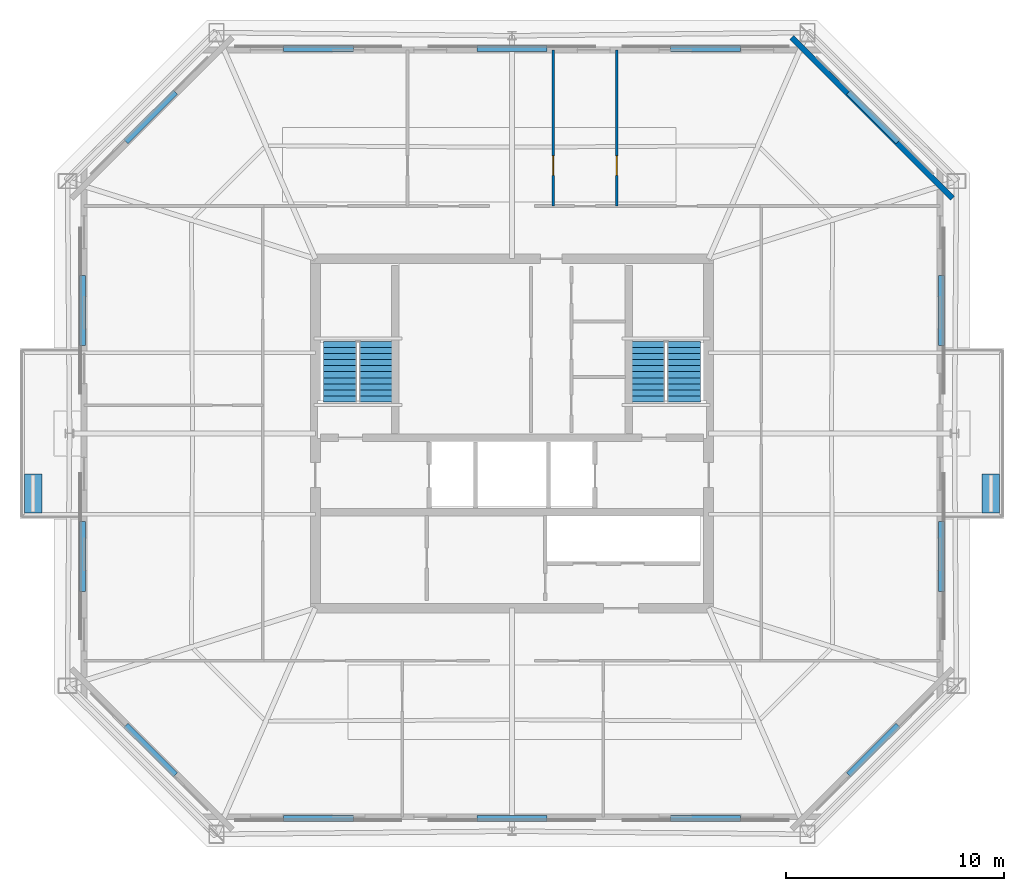
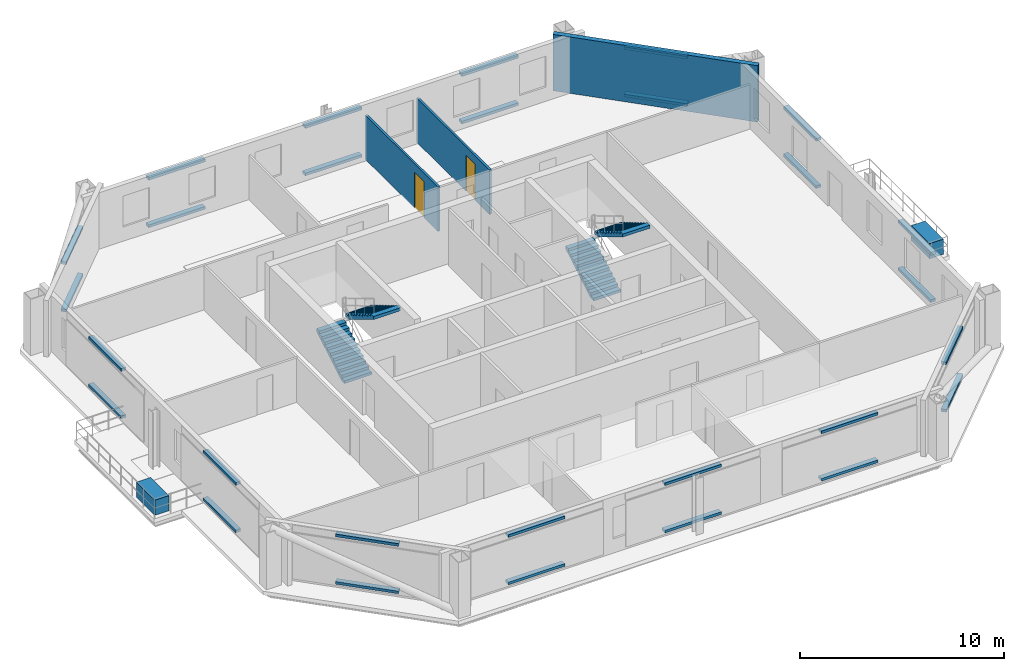
# One storey, part 5 of 7: 30 discrete accessories, 4 stair flights, 3 walls, 2 doors, 2 openings, 2 elements without a shape of their own.
"""IFC4 building model written with IfcOpenShell, lengths in metres."""

from ifc_helpers import new_model, si_unit, direction, frame, frame_2d, origin, origin_2d, place, context, subcontext, project, spatial, polyline, rectangle, outline, extrude, material, layer, layer_set, type_object, element, fill, aggregate, save


model = new_model("IFC4")

# Units and contexts
model_context = context("Model", 3, precision=1e-05, world=origin(), true_north=direction((0.0, 1.0)))
body_context = subcontext(model_context, "Body", "Model", "MODEL_VIEW")
ifc_project = project(units=[si_unit("LENGTHUNIT", "METRE"), si_unit("AREAUNIT", "SQUARE_METRE"), si_unit("VOLUMEUNIT", "CUBIC_METRE"), si_unit("PLANEANGLEUNIT", "RADIAN"), si_unit("MASSUNIT", "GRAM", prefix="KILO")], contexts=[model_context])

# Site, building, storey
site_placement = place(None, origin())
site = spatial("IfcSite", under=ifc_project, at=site_placement, CompositionType="ELEMENT")
building_placement = place(site_placement, origin())
building = spatial("IfcBuilding", under=site, at=building_placement, Name="Caelvoria Tower", CompositionType="ELEMENT")
storey_placement = place(building_placement, frame((0.0, 0.0, 223.800048828125)))
storey = spatial("IfcBuildingStorey", under=building, at=storey_placement, Name="L59", CompositionType="ELEMENT", Elevation=223.800048828125)

# Wall, opening, door
ifc_material_1 = material(Name="Acoustic Gypsum Board on Light-Gauge Stud", Category="gypsum")
ifc_layer_1 = layer(ifc_material_1, 0.1201171875, Name="Acoustic Gypsum Board on Light-Gauge Stud")
ifc_layer_set_1 = layer_set([ifc_layer_1], Name="Tenant Suite Acoustic Partition Wall 120 - Acoustic Gypsum Board on Light-Gauge Stud")
wall_type_1 = type_object("IfcWallType", Name="Tenant Suite Acoustic Partition Wall 120", PredefinedType="PARTITIONING", material=ifc_layer_set_1)
wall_1_placement = place(storey_placement, frame((47.884521484375, 42.409912109375, 0.0), z_axis=(0.0, 0.0, 1.0), x_axis=(0.0, 1.0, 0.0)))
wall_1 = element("IfcWall", 1, at=wall_1_placement, inside=storey, type_object=wall_type_1, Name="Interior Partition IW-L59-ND-01-0", PredefinedType="PARTITIONING", context=body_context, shape_type="SweptSolid", body=[
    extrude(rectangle(XDim=7.137451171875, YDim=0.1201171875, at=frame_2d((3.56884765625, 0.0))), origin(), (0.0, 0.0, 1.0), 2.655029296875),
])
opening_1_placement = place(wall_1_placement, frame((1.39990234375, 0.0, 0.0)))
opening_1 = element("IfcOpeningElement", 2, at=opening_1_placement, cuts=wall_1, Name="Opening ID-06", PredefinedType="OPENING", context=body_context, shape_type="SweptSolid", body=[
    extrude(rectangle(XDim=0.89990234375, YDim=2.14990234375, at=frame_2d((0.449951171875, 1.074951171875))), frame((0.0, 0.070068359375, 0.0), z_axis=(0.0, -1.0, 0.0), x_axis=(1.0, 0.0, 0.0)), (0.0, 0.0, 1.0), 0.14013671875),
])
ifc_material_2 = material(Name="Engineered Andean Oak Veneer Door", Category="wood")
door_type = type_object("IfcDoorType", Name="Interior Timber Door 900x2150", OperationType="NOTDEFINED", PredefinedType="DOOR", material=ifc_material_2)
door_1_placement = place(opening_1_placement, origin())
door_1 = element("IfcDoor", 3, at=door_1_placement, inside=storey, type_object=door_type, Name="Interior Door DR-L59-NM-01-0", OperationType="SINGLE_SWING_LEFT", OverallHeight=2.14990234375, OverallWidth=0.89990234375, PredefinedType="DOOR", context=body_context, shape_type="SweptSolid", body=[
    extrude(rectangle(XDim=0.89990234375, YDim=2.14990234375, at=frame_2d((0.449951171875, 1.074951171875))), frame((0.0, 0.02490234375, 0.0), z_axis=(0.0, -1.0, 0.0), x_axis=(1.0, 0.0, 0.0)), (0.0, 0.0, 1.0), 0.050048828125),
])
fill(opening_1, door_1)

wall_2_placement = place(storey_placement, frame((50.796875, 42.409912109375, 0.0), z_axis=(0.0, 0.0, 1.0), x_axis=(0.0, 1.0, 0.0)))
wall_2 = element("IfcWall", 4, at=wall_2_placement, inside=storey, type_object=wall_type_1, Name="Interior Partition IW-L59-ND-02-0", PredefinedType="PARTITIONING", context=body_context, shape_type="SweptSolid", body=[
    extrude(rectangle(XDim=7.137451171875, YDim=0.1201171875, at=frame_2d((3.56884765625, 0.0))), origin(), (0.0, 0.0, 1.0), 2.655029296875),
])
opening_2_placement = place(wall_2_placement, frame((1.39990234375, 0.0, 0.0)))
opening_2 = element("IfcOpeningElement", 5, at=opening_2_placement, cuts=wall_2, Name="Opening ID-06", PredefinedType="OPENING", context=body_context, shape_type="SweptSolid", body=[
    extrude(rectangle(XDim=0.89990234375, YDim=2.14990234375, at=frame_2d((0.449951171875, 1.074951171875))), frame((0.0, 0.070068359375, 0.0), z_axis=(0.0, -1.0, 0.0), x_axis=(1.0, 0.0, 0.0)), (0.0, 0.0, 1.0), 0.14013671875),
])
door_2_placement = place(opening_2_placement, origin())
door_2 = element("IfcDoor", 6, at=door_2_placement, inside=storey, type_object=door_type, Name="Interior Door DR-L59-NM-02-0", OperationType="SINGLE_SWING_RIGHT", OverallHeight=2.14990234375, OverallWidth=0.89990234375, PredefinedType="DOOR", context=body_context, shape_type="SweptSolid", body=[
    extrude(rectangle(XDim=0.89990234375, YDim=2.14990234375, at=frame_2d((0.449951171875, 1.074951171875))), frame((0.0, 0.02490234375, 0.0), z_axis=(0.0, -1.0, 0.0), x_axis=(1.0, 0.0, 0.0)), (0.0, 0.0, 1.0), 0.050048828125),
])
fill(opening_2, door_2)

# Wall
ifc_material_3 = material(Name="Precast Concrete C40/50 with Bronze Cladding", Category="concrete")
ifc_layer_2 = layer(ifc_material_3, 0.264892578125, Name="Precast Concrete C40/50 with Bronze Cladding")
ifc_layer_set_2 = layer_set([ifc_layer_2], Name="Upper Taper Precast Concrete C40/50 Bronze Facade Wall 265 - Precast Concrete C40/50 with Bronze Cladding")
wall_type_2 = type_object("IfcWallType", Name="Upper Taper Precast Concrete C40/50 Bronze Facade Wall 265", PredefinedType="STANDARD", material=ifc_layer_set_2)
wall_3_placement = place(storey_placement, frame((66.16650390625, 42.763671875, 0.0), z_axis=(0.0, 0.0, 1.0), x_axis=(-0.707106781187, 0.707106781187, 0.0)))
element("IfcWall", 7, at=wall_3_placement, inside=storey, type_object=wall_type_2, Name="Exterior Facade Wall L59-E3", PredefinedType="STANDARD", context=body_context, shape_type="SweptSolid", body=[
    extrude(rectangle(XDim=10.405029296875, YDim=0.264892578125, at=frame_2d((5.20263671875, 0.0))), origin(), (0.0, 0.0, 1.0), 3.375),
])

# Stair, stair flights
ifc_material_4 = material(Name="Concrete C40/50", Category="concrete")
stair_type = type_object("IfcStairType", Name="Core Smokeproof Dogleg Stair Concrete C40/50", PredefinedType="HALF_TURN_STAIR", material=ifc_material_4)
stair_1_placement = place(storey_placement, origin())
stair_1 = element("IfcStair", 8, at=stair_1_placement, inside=storey, type_object=stair_type, Name="ST-01 Smokeproof Exit Stair L59", PredefinedType="HALF_TURN_STAIR")
ifc_material_5 = material(Name="Precast Concrete C40/50", Category="concrete")
stair_flight_type = type_object("IfcStairFlightType", Name="Precast Concrete C40/50 Stair Flight 1480", PredefinedType="STRAIGHT", material=ifc_material_5)
stair_flight_1_placement = place(storey_placement, frame((38.1298828125, 33.449951171875, 0.0), z_axis=(0.0, 0.0, 1.0), x_axis=(0.0, 1.0, 0.0)))
stair_flight_1 = element("IfcStairFlight", 9, at=stair_flight_1_placement, type_object=stair_flight_type, Name="ST-01 flight 1", NumberOfRisers=11, NumberOfTreads=10, PredefinedType="STRAIGHT", RiserHeight=0.1636, TreadLength=0.275, context=body_context, shape_type="SweptSolid", body=[
    extrude(outline(polyline([(0.0, 0.0), (0.0, 0.16357421875), (0.27490234375, 0.16357421875), (0.27490234375, 0.3271484375), (0.550048828125, 0.3271484375), (0.550048828125, 0.49072265625), (0.824951171875, 0.49072265625), (0.824951171875, 0.654296875), (1.10009765625, 0.654296875), (1.10009765625, 0.818115234375), (1.375, 0.818115234375), (1.375, 0.981689453125), (1.64990234375, 0.981689453125), (1.64990234375, 1.145263671875), (1.925048828125, 1.145263671875), (1.925048828125, 1.308837890625), (2.199951171875, 1.308837890625), (2.199951171875, 1.472412109375), (2.47509765625, 1.472412109375), (2.47509765625, 1.635986328125), (2.75, 1.635986328125), (2.75, 1.799560546875), (2.75, 1.449951171875), (0.312744140625, 0.0), (0.0, 0.0)])), frame((0.0, 0.77001953125, 0.0), z_axis=(0.0, -1.0, 0.0), x_axis=(1.0, 0.0, 0.0)), (0.0, 0.0, 1.0), 1.5400390625),
])
stair_flight_2_placement = place(storey_placement, frame((39.77001953125, 36.199951171875, 1.800048828125), z_axis=(0.0, 0.0, 1.0), x_axis=(0.0, -1.0, 0.0)))
stair_flight_2 = element("IfcStairFlight", 10, at=stair_flight_2_placement, type_object=stair_flight_type, Name="ST-01 flight 2", NumberOfRisers=11, NumberOfTreads=10, PredefinedType="STRAIGHT", RiserHeight=0.1636, TreadLength=0.275, context=body_context, shape_type="SweptSolid", body=[
    extrude(outline(polyline([(0.0, 0.0), (0.0, 0.16357421875), (0.27490234375, 0.16357421875), (0.27490234375, 0.3271484375), (0.550048828125, 0.3271484375), (0.550048828125, 0.49072265625), (0.824951171875, 0.49072265625), (0.824951171875, 0.654296875), (1.10009765625, 0.654296875), (1.10009765625, 0.818115234375), (1.375, 0.818115234375), (1.375, 0.981689453125), (1.64990234375, 0.981689453125), (1.64990234375, 1.145263671875), (1.925048828125, 1.145263671875), (1.925048828125, 1.308837890625), (2.199951171875, 1.308837890625), (2.199951171875, 1.472412109375), (2.47509765625, 1.472412109375), (2.47509765625, 1.635986328125), (2.75, 1.635986328125), (2.75, 1.799560546875), (2.75, 1.449951171875), (0.312744140625, 0.0), (0.0, 0.0)])), frame((0.0, 0.77001953125, 0.0), z_axis=(0.0, -1.0, 0.0), x_axis=(1.0, 0.0, 0.0)), (0.0, 0.0, 1.0), 1.5400390625),
])
aggregate(stair_1, [stair_flight_1, stair_flight_2])

stair_2_placement = place(storey_placement, origin())
stair_2 = element("IfcStair", 11, at=stair_2_placement, inside=storey, type_object=stair_type, Name="ST-02 Smokeproof Exit Stair L59", PredefinedType="HALF_TURN_STAIR")
stair_flight_3_placement = place(storey_placement, frame((52.22998046875, 33.449951171875, 0.0), z_axis=(0.0, 0.0, 1.0), x_axis=(0.0, 1.0, 0.0)))
stair_flight_3 = element("IfcStairFlight", 12, at=stair_flight_3_placement, type_object=stair_flight_type, Name="ST-02 flight 1", NumberOfRisers=11, NumberOfTreads=10, PredefinedType="STRAIGHT", RiserHeight=0.1636, TreadLength=0.275, context=body_context, shape_type="SweptSolid", body=[
    extrude(outline(polyline([(0.0, 0.0), (0.0, 0.16357421875), (0.27490234375, 0.16357421875), (0.27490234375, 0.3271484375), (0.550048828125, 0.3271484375), (0.550048828125, 0.49072265625), (0.824951171875, 0.49072265625), (0.824951171875, 0.654296875), (1.10009765625, 0.654296875), (1.10009765625, 0.818115234375), (1.375, 0.818115234375), (1.375, 0.981689453125), (1.64990234375, 0.981689453125), (1.64990234375, 1.145263671875), (1.925048828125, 1.145263671875), (1.925048828125, 1.308837890625), (2.199951171875, 1.308837890625), (2.199951171875, 1.472412109375), (2.47509765625, 1.472412109375), (2.47509765625, 1.635986328125), (2.75, 1.635986328125), (2.75, 1.799560546875), (2.75, 1.449951171875), (0.312744140625, 0.0), (0.0, 0.0)])), frame((0.0, 0.77001953125, 0.0), z_axis=(0.0, -1.0, 0.0), x_axis=(1.0, 0.0, 0.0)), (0.0, 0.0, 1.0), 1.5400390625),
])
stair_flight_4_placement = place(storey_placement, frame((53.8701171875, 36.199951171875, 1.800048828125), z_axis=(0.0, 0.0, 1.0), x_axis=(0.0, -1.0, 0.0)))
stair_flight_4 = element("IfcStairFlight", 13, at=stair_flight_4_placement, type_object=stair_flight_type, Name="ST-02 flight 2", NumberOfRisers=11, NumberOfTreads=10, PredefinedType="STRAIGHT", RiserHeight=0.1636, TreadLength=0.275, context=body_context, shape_type="SweptSolid", body=[
    extrude(outline(polyline([(0.0, 0.0), (0.0, 0.16357421875), (0.27490234375, 0.16357421875), (0.27490234375, 0.3271484375), (0.550048828125, 0.3271484375), (0.550048828125, 0.49072265625), (0.824951171875, 0.49072265625), (0.824951171875, 0.654296875), (1.10009765625, 0.654296875), (1.10009765625, 0.818115234375), (1.375, 0.818115234375), (1.375, 0.981689453125), (1.64990234375, 0.981689453125), (1.64990234375, 1.145263671875), (1.925048828125, 1.145263671875), (1.925048828125, 1.308837890625), (2.199951171875, 1.308837890625), (2.199951171875, 1.472412109375), (2.47509765625, 1.472412109375), (2.47509765625, 1.635986328125), (2.75, 1.635986328125), (2.75, 1.799560546875), (2.75, 1.449951171875), (0.312744140625, 0.0), (0.0, 0.0)])), frame((0.0, 0.77001953125, 0.0), z_axis=(0.0, -1.0, 0.0), x_axis=(1.0, 0.0, 0.0)), (0.0, 0.0, 1.0), 1.5400390625),
])
aggregate(stair_2, [stair_flight_3, stair_flight_4])

# Discrete accessories
ifc_material_6 = material(Name="Anodised Bronze Stainless Bracket", Category="bronze")
discrete_accessory_type_1 = type_object("IfcDiscreteAccessoryType", Name="Solar Screen Outrigger Support Bracket", PredefinedType="BRACKET", material=ifc_material_6)
for number, where, z_axis, x_axis, name in (
    (14, (37.136962890625, 14.3798828125, 0.240234375), (0.0, 0.0, 1.0), (1.0, 0.0, 0.0), "Solar Screen Bracket L59-E0-00"),
    (15, (37.136962890625, 14.3798828125, 3.0751953125), (0.0, 0.0, 1.0), (1.0, 0.0, 0.0), "Upper Screen Band Bracket L59-E0-00"),
    (16, (46.0, 14.3798828125, 0.240234375), (0.0, 0.0, 1.0), (1.0, 0.0, 0.0), "Solar Screen Bracket L59-E0-01"),
    (17, (46.0, 14.3798828125, 3.0751953125), (0.0, 0.0, 1.0), (1.0, 0.0, 0.0), "Upper Screen Band Bracket L59-E0-01"),
    (18, (54.863037109375, 14.3798828125, 0.240234375), (0.0, 0.0, 1.0), (1.0, 0.0, 0.0), "Solar Screen Bracket L59-E0-02"),
    (19, (54.863037109375, 14.3798828125, 3.0751953125), (0.0, 0.0, 1.0), (1.0, 0.0, 0.0), "Upper Screen Band Bracket L59-E0-02"),
    (20, (62.539306640625, 17.506103515625, 0.240234375), (0.0, 0.0, 1.0), (0.707106781187, 0.707106781187, 0.0), "Solar Screen Bracket L59-E1-00"),
    (21, (62.539306640625, 17.506103515625, 3.0751953125), (0.0, 0.0, 1.0), (0.707106781187, 0.707106781187, 0.0), "Upper Screen Band Bracket L59-E1-00"),
    (22, (65.66552734375, 26.37548828125, 0.240234375), (0.0, 0.0, 1.0), (0.0, 1.0, 0.0), "Solar Screen Bracket L59-E2-00"),
    (23, (65.66552734375, 26.37548828125, 3.0751953125), (0.0, 0.0, 1.0), (0.0, 1.0, 0.0), "Upper Screen Band Bracket L59-E2-00"),
    (24, (65.66552734375, 37.62451171875, 0.240234375), (0.0, 0.0, 1.0), (0.0, 1.0, 0.0), "Solar Screen Bracket L59-E2-01"),
    (25, (65.66552734375, 37.62451171875, 3.0751953125), (0.0, 0.0, 1.0), (0.0, 1.0, 0.0), "Upper Screen Band Bracket L59-E2-01"),
    (26, (62.539306640625, 46.493896484375, 0.240234375), (0.0, 0.0, 1.0), (-0.707106781187, 0.707106781187, 0.0), "Solar Screen Bracket L59-E3-00"),
    (27, (62.539306640625, 46.493896484375, 3.0751953125), (0.0, 0.0, 1.0), (-0.707106781187, 0.707106781187, 0.0), "Upper Screen Band Bracket L59-E3-00"),
    (28, (54.863037109375, 49.6201171875, 0.240234375), (0.0, 0.0, 1.0), (-1.0, 0.0, 0.0), "Solar Screen Bracket L59-E4-00"),
    (29, (54.863037109375, 49.6201171875, 3.0751953125), (0.0, 0.0, 1.0), (-1.0, 0.0, 0.0), "Upper Screen Band Bracket L59-E4-00"),
    (30, (46.0, 49.6201171875, 0.240234375), (0.0, 0.0, 1.0), (-1.0, 0.0, 0.0), "Solar Screen Bracket L59-E4-01"),
    (31, (46.0, 49.6201171875, 3.0751953125), (0.0, 0.0, 1.0), (-1.0, 0.0, 0.0), "Upper Screen Band Bracket L59-E4-01"),
    (32, (37.136962890625, 49.6201171875, 0.240234375), (0.0, 0.0, 1.0), (-1.0, 0.0, 0.0), "Solar Screen Bracket L59-E4-02"),
    (33, (37.136962890625, 49.6201171875, 3.0751953125), (0.0, 0.0, 1.0), (-1.0, 0.0, 0.0), "Upper Screen Band Bracket L59-E4-02"),
    (34, (29.460693359375, 46.493896484375, 0.240234375), (0.0, 0.0, 1.0), (-0.707106781187, -0.707106781187, 0.0), "Solar Screen Bracket L59-E5-00"),
    (35, (29.460693359375, 46.493896484375, 3.0751953125), (0.0, 0.0, 1.0), (-0.707106781187, -0.707106781187, 0.0), "Upper Screen Band Bracket L59-E5-00"),
    (36, (26.33447265625, 37.62451171875, 0.240234375), (0.0, 0.0, 1.0), (0.0, -1.0, 0.0), "Solar Screen Bracket L59-E6-00"),
    (37, (26.33447265625, 37.62451171875, 3.0751953125), (0.0, 0.0, 1.0), (0.0, -1.0, 0.0), "Upper Screen Band Bracket L59-E6-00"),
    (38, (26.33447265625, 26.37548828125, 0.240234375), (0.0, 0.0, 1.0), (0.0, -1.0, 0.0), "Solar Screen Bracket L59-E6-01"),
    (39, (26.33447265625, 26.37548828125, 3.0751953125), (0.0, 0.0, 1.0), (0.0, -1.0, 0.0), "Upper Screen Band Bracket L59-E6-01"),
    (40, (29.460693359375, 17.506103515625, 0.240234375), (0.0, 0.0, 1.0), (0.707106781187, -0.707106781187, 0.0), "Solar Screen Bracket L59-E7-00"),
    (41, (29.460693359375, 17.506103515625, 3.0751953125), (0.0, 0.0, 1.0), (0.707106781187, -0.707106781187, 0.0), "Upper Screen Band Bracket L59-E7-00"),
):
    element("IfcDiscreteAccessory", number, at=place(storey_placement, frame(where, z_axis=z_axis, x_axis=x_axis)), inside=storey, type_object=discrete_accessory_type_1, Name=name, PredefinedType="BRACKET", context=body_context, shape_type="SweptSolid", body=[
        extrude(rectangle(XDim=3.199951171875, YDim=0.280029296875, at=origin_2d()), origin(), (0.0, 0.0, 1.0), 0.159912109375),
    ])
ifc_material_7 = material(Name="Bronze-Clad Concrete C40/50 Planter Vessel", Category="concrete")
discrete_accessory_type_2 = type_object("IfcDiscreteAccessoryType", Name="Tree Balcony Structural Planter Vessel PLANTER", PredefinedType="USERDEFINED", material=ifc_material_7)
for number, where, z_axis, x_axis, name in (
    (42, (24.077392578125, 29.25, 0.0), (0.0, 0.0, 1.0), (0.0, 1.0, 0.0), "Tree Balcony Planter TB-L59-W"),
    (43, (67.922607421875, 29.25, 0.0), (0.0, 0.0, 1.0), (0.0, 1.0, 0.0), "Tree Balcony Planter TB-L59-E"),
):
    element("IfcDiscreteAccessory", number, at=place(storey_placement, frame(where, z_axis=z_axis, x_axis=x_axis)), inside=storey, type_object=discrete_accessory_type_2, Name=name, ObjectType="PLANTER", PredefinedType="USERDEFINED", context=body_context, shape_type="SweptSolid", body=[
        extrude(rectangle(XDim=1.800048828125, YDim=0.800048828125, at=origin_2d()), origin(), (0.0, 0.0, 1.0), 0.89990234375),
    ])

save(model, "model.ifc")
